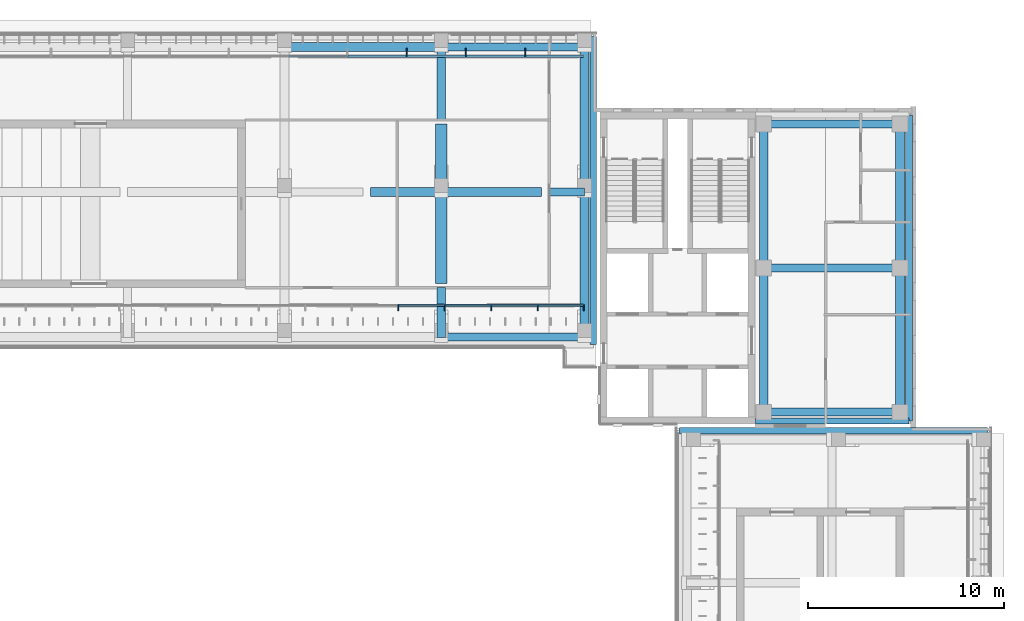
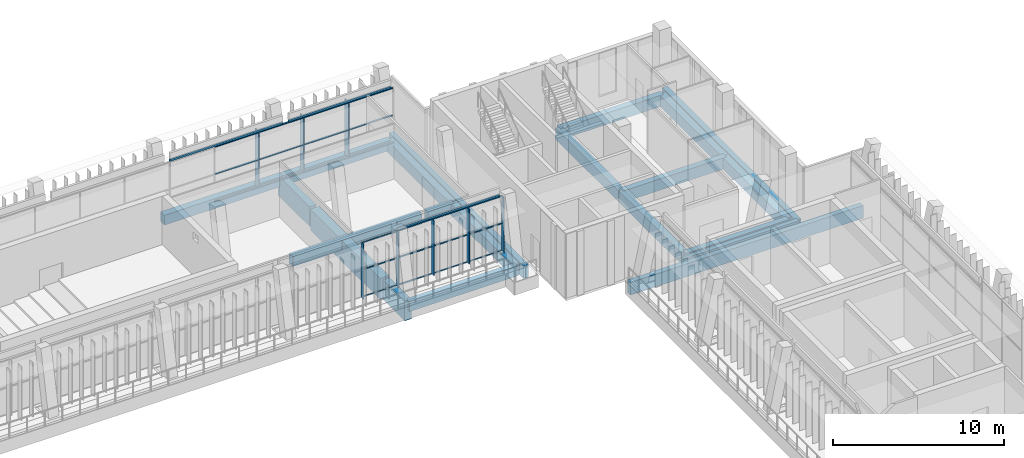
# One storey, part 34 of 74: 32 members, 24 beams, 2 elements without a shape of their own.
"""IFC4 building model written with IfcOpenShell, lengths in metres."""

from ifc_helpers import new_model, si_unit, direction, frame, origin, origin_2d, place, context, subcontext, project, spatial, rectangle, hollow_rectangle, extrude, material, material_profile, profile_set, type_object, element, aggregate, save


model = new_model("IFC4")

# Units and contexts
model_context = context("Model", 3, precision=1e-05, world=origin(), true_north=direction((0.0, 1.0)))
body_context = subcontext(model_context, "Body", "Model", "MODEL_VIEW")
ifc_project = project(units=[si_unit("LENGTHUNIT", "METRE"), si_unit("AREAUNIT", "SQUARE_METRE"), si_unit("VOLUMEUNIT", "CUBIC_METRE"), si_unit("PLANEANGLEUNIT", "RADIAN"), si_unit("MASSUNIT", "GRAM", prefix="KILO")], contexts=[model_context])

# Site, building, storey
site_placement = place(None, origin())
site = spatial("IfcSite", under=ifc_project, at=site_placement, CompositionType="ELEMENT")
building_placement = place(site_placement, origin())
building = spatial("IfcBuilding", under=site, at=building_placement, Name="Lantern Court Media Centre", CompositionType="ELEMENT")
storey_placement = place(building_placement, frame((0.0, 0.0, 19.199951171875)))
storey = spatial("IfcBuildingStorey", under=building, at=storey_placement, Name="L04", CompositionType="ELEMENT", Elevation=19.199951171875)

# Curtain wall, members
ifc_material_1 = material(Name="Curtain wall bay 2400")
curtain_wall_type_1 = type_object("IfcCurtainWallType", Name="Curtain wall bay 2400", PredefinedType="NOTDEFINED", material=ifc_material_1)
curtain_wall_1_placement = place(storey_placement, origin())
curtain_wall_1 = element("IfcCurtainWall", 1, at=curtain_wall_1_placement, inside=storey, type_object=curtain_wall_type_1, Name="Curtain wall N inner L04", PredefinedType="NOTDEFINED")
ifc_material_2 = material(Name="Anodised aluminium", Category="aluminium")
ifc_material_profile_1 = material_profile(ifc_material_2, rectangle(XDim=0.300048828125, YDim=0.050048828125, at=origin_2d()), Name="AL 50x300")
ifc_profile_set_1 = profile_set([ifc_material_profile_1], Name="Anodised aluminium")
member_type_1 = type_object("IfcMemberType", Name="Curtain wall mullion 50x300", PredefinedType="MULLION", material=ifc_profile_set_1)
member_1_placement = place(storey_placement, frame((69.804443359375, 102.030029296875, 0.0), z_axis=(0.0, 0.0, 1.0), x_axis=(0.0, 1.0, 0.0)))
member_1 = element("IfcMember", 2, at=member_1_placement, type_object=member_type_1, Name="CW2 mullion 20", PredefinedType="MULLION", context=body_context, shape_type="SweptSolid", body=[
    extrude(rectangle(XDim=0.300048828125, YDim=0.050048828125, at=origin_2d()), origin(), (0.0, 0.0, 1.0), 3.949951171875),
])
member_2_placement = place(storey_placement, frame((72.17822265625, 102.030029296875, 0.0), z_axis=(0.0, 0.0, 1.0), x_axis=(0.0, 1.0, 0.0)))
member_2 = element("IfcMember", 3, at=member_2_placement, type_object=member_type_1, Name="CW2 mullion 21", PredefinedType="MULLION", context=body_context, shape_type="SweptSolid", body=[
    extrude(rectangle(XDim=0.300048828125, YDim=0.050048828125, at=origin_2d()), origin(), (0.0, 0.0, 1.0), 3.949951171875),
])
member_3_placement = place(storey_placement, frame((74.55224609375, 102.030029296875, 0.0), z_axis=(0.0, 0.0, 1.0), x_axis=(0.0, 1.0, 0.0)))
member_3 = element("IfcMember", 4, at=member_3_placement, type_object=member_type_1, Name="CW2 mullion 22", PredefinedType="MULLION", context=body_context, shape_type="SweptSolid", body=[
    extrude(rectangle(XDim=0.300048828125, YDim=0.050048828125, at=origin_2d()), origin(), (0.0, 0.0, 1.0), 3.949951171875),
])
member_4_placement = place(storey_placement, frame((76.926025390625, 102.030029296875, 0.0), z_axis=(0.0, 0.0, 1.0), x_axis=(0.0, 1.0, 0.0)))
member_4 = element("IfcMember", 5, at=member_4_placement, type_object=member_type_1, Name="CW2 mullion 23", PredefinedType="MULLION", context=body_context, shape_type="SweptSolid", body=[
    extrude(rectangle(XDim=0.300048828125, YDim=0.050048828125, at=origin_2d()), origin(), (0.0, 0.0, 1.0), 3.949951171875),
])
member_5_placement = place(storey_placement, frame((79.27490234375, 102.030029296875, 0.0), z_axis=(0.0, 0.0, 1.0), x_axis=(0.0, 1.0, 0.0)))
member_5 = element("IfcMember", 6, at=member_5_placement, type_object=member_type_1, Name="CW2 mullion 24", PredefinedType="MULLION", context=body_context, shape_type="SweptSolid", body=[
    extrude(rectangle(XDim=0.300048828125, YDim=0.050048828125, at=origin_2d()), origin(), (0.0, 0.0, 1.0), 3.949951171875),
])

ifc_material_3 = material(Name="Curtain wall bay 3000")
curtain_wall_type_2 = type_object("IfcCurtainWallType", Name="Curtain wall bay 3000", PredefinedType="NOTDEFINED", material=ifc_material_3)
curtain_wall_2_placement = place(storey_placement, origin())
curtain_wall_2 = element("IfcCurtainWall", 7, at=curtain_wall_2_placement, inside=storey, type_object=curtain_wall_type_2, Name="Curtain wall N outer L04", PredefinedType="NOTDEFINED")
ifc_material_profile_2 = material_profile(ifc_material_2, rectangle(XDim=0.449951171875, YDim=0.06005859375, at=origin_2d()), Name="AL 60x450")
ifc_profile_set_2 = profile_set([ifc_material_profile_2], Name="Anodised aluminium")
member_type_2 = type_object("IfcMemberType", Name="Curtain wall mullion 60x450", PredefinedType="MULLION", material=ifc_profile_set_2)
member_6_placement = place(storey_placement, frame((70.230712890625, 115.044921875, 0.0), z_axis=(0.0, 0.0, 1.0), x_axis=(0.0, 1.0, 0.0)))
member_6 = element("IfcMember", 8, at=member_6_placement, type_object=member_type_2, Name="CW1 mullion 11", PredefinedType="MULLION", context=body_context, shape_type="SweptSolid", body=[
    extrude(rectangle(XDim=0.449951171875, YDim=0.06005859375, at=origin_2d()), origin(), (0.0, 0.0, 1.0), 3.949951171875),
])
member_7_placement = place(storey_placement, frame((73.25390625, 115.044921875, 0.0), z_axis=(0.0, 0.0, 1.0), x_axis=(0.0, 1.0, 0.0)))
member_7 = element("IfcMember", 9, at=member_7_placement, type_object=member_type_2, Name="CW1 mullion 12", PredefinedType="MULLION", context=body_context, shape_type="SweptSolid", body=[
    extrude(rectangle(XDim=0.449951171875, YDim=0.06005859375, at=origin_2d()), origin(), (0.0, 0.0, 1.0), 3.949951171875),
])
member_8_placement = place(storey_placement, frame((76.27685546875, 115.044921875, 0.0), z_axis=(0.0, 0.0, 1.0), x_axis=(0.0, 1.0, 0.0)))
member_8 = element("IfcMember", 10, at=member_8_placement, type_object=member_type_2, Name="CW1 mullion 13", PredefinedType="MULLION", context=body_context, shape_type="SweptSolid", body=[
    extrude(rectangle(XDim=0.449951171875, YDim=0.06005859375, at=origin_2d()), origin(), (0.0, 0.0, 1.0), 3.949951171875),
])

# Member
ifc_material_profile_3 = material_profile(ifc_material_2, rectangle(XDim=0.10009765625, YDim=0.050048828125, at=origin_2d()), Name="AL 50x100")
ifc_profile_set_3 = profile_set([ifc_material_profile_3], Name="Anodised aluminium")
member_type_3 = type_object("IfcMemberType", Name="Curtain wall transom 100x50", PredefinedType="USERDEFINED", material=ifc_profile_set_3)
member_9_placement = place(storey_placement, frame((69.829345703125, 102.14990234375, 0.025146484375), z_axis=(1.0, 0.0, 0.0), x_axis=(0.0, 1.0, 0.0)))
member_9 = element("IfcMember", 11, at=member_9_placement, type_object=member_type_3, Name="CW2 transom 20.1", ObjectType="TRANSOM", PredefinedType="USERDEFINED", context=body_context, shape_type="SweptSolid", body=[
    extrude(rectangle(XDim=0.10009765625, YDim=0.050048828125, at=origin_2d()), origin(), (0.0, 0.0, 1.0), 2.323974609375),
])

member_10_placement = place(storey_placement, frame((69.829345703125, 102.14990234375, 1.97509765625), z_axis=(1.0, 0.0, 0.0), x_axis=(0.0, 1.0, 0.0)))
member_10 = element("IfcMember", 12, at=member_10_placement, type_object=member_type_3, Name="CW2 transom 20.2", ObjectType="TRANSOM", PredefinedType="USERDEFINED", context=body_context, shape_type="SweptSolid", body=[
    extrude(rectangle(XDim=0.10009765625, YDim=0.050048828125, at=origin_2d()), origin(), (0.0, 0.0, 1.0), 2.323974609375),
])

member_11_placement = place(storey_placement, frame((69.829345703125, 102.14990234375, 3.925048828125), z_axis=(1.0, 0.0, 0.0), x_axis=(0.0, 1.0, 0.0)))
member_11 = element("IfcMember", 13, at=member_11_placement, type_object=member_type_3, Name="CW2 transom 20.3", ObjectType="TRANSOM", PredefinedType="USERDEFINED", context=body_context, shape_type="SweptSolid", body=[
    extrude(rectangle(XDim=0.10009765625, YDim=0.050048828125, at=origin_2d()), origin(), (0.0, 0.0, 1.0), 2.323974609375),
])

member_12_placement = place(storey_placement, frame((72.203369140625, 102.14990234375, 0.025146484375), z_axis=(1.0, 0.0, 0.0), x_axis=(0.0, 1.0, 0.0)))
member_12 = element("IfcMember", 14, at=member_12_placement, type_object=member_type_3, Name="CW2 transom 21.1", ObjectType="TRANSOM", PredefinedType="USERDEFINED", context=body_context, shape_type="SweptSolid", body=[
    extrude(rectangle(XDim=0.10009765625, YDim=0.050048828125, at=origin_2d()), origin(), (0.0, 0.0, 1.0), 2.32373046875),
])

member_13_placement = place(storey_placement, frame((72.203369140625, 102.14990234375, 1.97509765625), z_axis=(1.0, 0.0, 0.0), x_axis=(0.0, 1.0, 0.0)))
member_13 = element("IfcMember", 15, at=member_13_placement, type_object=member_type_3, Name="CW2 transom 21.2", ObjectType="TRANSOM", PredefinedType="USERDEFINED", context=body_context, shape_type="SweptSolid", body=[
    extrude(rectangle(XDim=0.10009765625, YDim=0.050048828125, at=origin_2d()), origin(), (0.0, 0.0, 1.0), 2.32373046875),
])

member_14_placement = place(storey_placement, frame((72.203369140625, 102.14990234375, 3.925048828125), z_axis=(1.0, 0.0, 0.0), x_axis=(0.0, 1.0, 0.0)))
member_14 = element("IfcMember", 16, at=member_14_placement, type_object=member_type_3, Name="CW2 transom 21.3", ObjectType="TRANSOM", PredefinedType="USERDEFINED", context=body_context, shape_type="SweptSolid", body=[
    extrude(rectangle(XDim=0.10009765625, YDim=0.050048828125, at=origin_2d()), origin(), (0.0, 0.0, 1.0), 2.32373046875),
])

member_15_placement = place(storey_placement, frame((74.5771484375, 102.14990234375, 0.025146484375), z_axis=(1.0, 0.0, 0.0), x_axis=(0.0, 1.0, 0.0)))
member_15 = element("IfcMember", 17, at=member_15_placement, type_object=member_type_3, Name="CW2 transom 22.1", ObjectType="TRANSOM", PredefinedType="USERDEFINED", context=body_context, shape_type="SweptSolid", body=[
    extrude(rectangle(XDim=0.10009765625, YDim=0.050048828125, at=origin_2d()), origin(), (0.0, 0.0, 1.0), 2.323974609375),
])

member_16_placement = place(storey_placement, frame((74.5771484375, 102.14990234375, 1.97509765625), z_axis=(1.0, 0.0, 0.0), x_axis=(0.0, 1.0, 0.0)))
member_16 = element("IfcMember", 18, at=member_16_placement, type_object=member_type_3, Name="CW2 transom 22.2", ObjectType="TRANSOM", PredefinedType="USERDEFINED", context=body_context, shape_type="SweptSolid", body=[
    extrude(rectangle(XDim=0.10009765625, YDim=0.050048828125, at=origin_2d()), origin(), (0.0, 0.0, 1.0), 2.323974609375),
])

member_17_placement = place(storey_placement, frame((74.5771484375, 102.14990234375, 3.925048828125), z_axis=(1.0, 0.0, 0.0), x_axis=(0.0, 1.0, 0.0)))
member_17 = element("IfcMember", 19, at=member_17_placement, type_object=member_type_3, Name="CW2 transom 22.3", ObjectType="TRANSOM", PredefinedType="USERDEFINED", context=body_context, shape_type="SweptSolid", body=[
    extrude(rectangle(XDim=0.10009765625, YDim=0.050048828125, at=origin_2d()), origin(), (0.0, 0.0, 1.0), 2.323974609375),
])

member_18_placement = place(storey_placement, frame((76.951171875, 102.14990234375, 0.025146484375), z_axis=(1.0, 0.0, 0.0), x_axis=(0.0, 1.0, 0.0)))
member_18 = element("IfcMember", 20, at=member_18_placement, type_object=member_type_3, Name="CW2 transom 23.1", ObjectType="TRANSOM", PredefinedType="USERDEFINED", context=body_context, shape_type="SweptSolid", body=[
    extrude(rectangle(XDim=0.10009765625, YDim=0.050048828125, at=origin_2d()), origin(), (0.0, 0.0, 1.0), 2.298828125),
])

member_19_placement = place(storey_placement, frame((76.951171875, 102.14990234375, 1.97509765625), z_axis=(1.0, 0.0, 0.0), x_axis=(0.0, 1.0, 0.0)))
member_19 = element("IfcMember", 21, at=member_19_placement, type_object=member_type_3, Name="CW2 transom 23.2", ObjectType="TRANSOM", PredefinedType="USERDEFINED", context=body_context, shape_type="SweptSolid", body=[
    extrude(rectangle(XDim=0.10009765625, YDim=0.050048828125, at=origin_2d()), origin(), (0.0, 0.0, 1.0), 2.298828125),
])

member_20_placement = place(storey_placement, frame((76.951171875, 102.14990234375, 3.925048828125), z_axis=(1.0, 0.0, 0.0), x_axis=(0.0, 1.0, 0.0)))
member_20 = element("IfcMember", 22, at=member_20_placement, type_object=member_type_3, Name="CW2 transom 23.3", ObjectType="TRANSOM", PredefinedType="USERDEFINED", context=body_context, shape_type="SweptSolid", body=[
    extrude(rectangle(XDim=0.10009765625, YDim=0.050048828125, at=origin_2d()), origin(), (0.0, 0.0, 1.0), 2.298828125),
])

aggregate(curtain_wall_1, [member_1, member_2, member_3, member_4, member_5, member_9, member_10, member_11, member_12, member_13, member_14, member_15, member_16, member_17, member_18, member_19, member_20])

ifc_material_profile_4 = material_profile(ifc_material_2, rectangle(XDim=0.1201171875, YDim=0.06005859375, at=origin_2d()), Name="AL 60x120")
ifc_profile_set_4 = profile_set([ifc_material_profile_4], Name="Anodised aluminium")
member_type_4 = type_object("IfcMemberType", Name="Curtain wall transom 60x120", PredefinedType="USERDEFINED", material=ifc_profile_set_4)
member_21_placement = place(storey_placement, frame((67.23779296875, 114.85009765625, 0.030029296875), z_axis=(1.0, 0.0, 0.0), x_axis=(0.0, 1.0, 0.0)))
member_21 = element("IfcMember", 23, at=member_21_placement, type_object=member_type_4, Name="CW1 transom 10.1", ObjectType="TRANSOM", PredefinedType="USERDEFINED", context=body_context, shape_type="SweptSolid", body=[
    extrude(rectangle(XDim=0.1201171875, YDim=0.06005859375, at=origin_2d()), origin(), (0.0, 0.0, 1.0), 2.962890625),
])

member_22_placement = place(storey_placement, frame((67.23779296875, 114.85009765625, 1.97509765625), z_axis=(1.0, 0.0, 0.0), x_axis=(0.0, 1.0, 0.0)))
member_22 = element("IfcMember", 24, at=member_22_placement, type_object=member_type_4, Name="CW1 transom 10.2", ObjectType="TRANSOM", PredefinedType="USERDEFINED", context=body_context, shape_type="SweptSolid", body=[
    extrude(rectangle(XDim=0.1201171875, YDim=0.06005859375, at=origin_2d()), origin(), (0.0, 0.0, 1.0), 2.962890625),
])

member_23_placement = place(storey_placement, frame((67.23779296875, 114.85009765625, 3.920166015625), z_axis=(1.0, 0.0, 0.0), x_axis=(0.0, 1.0, 0.0)))
member_23 = element("IfcMember", 25, at=member_23_placement, type_object=member_type_4, Name="CW1 transom 10.3", ObjectType="TRANSOM", PredefinedType="USERDEFINED", context=body_context, shape_type="SweptSolid", body=[
    extrude(rectangle(XDim=0.1201171875, YDim=0.06005859375, at=origin_2d()), origin(), (0.0, 0.0, 1.0), 2.962890625),
])

member_24_placement = place(storey_placement, frame((70.2607421875, 114.85009765625, 0.030029296875), z_axis=(1.0, 0.0, 0.0), x_axis=(0.0, 1.0, 0.0)))
member_24 = element("IfcMember", 26, at=member_24_placement, type_object=member_type_4, Name="CW1 transom 11.1", ObjectType="TRANSOM", PredefinedType="USERDEFINED", context=body_context, shape_type="SweptSolid", body=[
    extrude(rectangle(XDim=0.1201171875, YDim=0.06005859375, at=origin_2d()), origin(), (0.0, 0.0, 1.0), 2.963134765625),
])

member_25_placement = place(storey_placement, frame((70.2607421875, 114.85009765625, 1.97509765625), z_axis=(1.0, 0.0, 0.0), x_axis=(0.0, 1.0, 0.0)))
member_25 = element("IfcMember", 27, at=member_25_placement, type_object=member_type_4, Name="CW1 transom 11.2", ObjectType="TRANSOM", PredefinedType="USERDEFINED", context=body_context, shape_type="SweptSolid", body=[
    extrude(rectangle(XDim=0.1201171875, YDim=0.06005859375, at=origin_2d()), origin(), (0.0, 0.0, 1.0), 2.963134765625),
])

member_26_placement = place(storey_placement, frame((70.2607421875, 114.85009765625, 3.920166015625), z_axis=(1.0, 0.0, 0.0), x_axis=(0.0, 1.0, 0.0)))
member_26 = element("IfcMember", 28, at=member_26_placement, type_object=member_type_4, Name="CW1 transom 11.3", ObjectType="TRANSOM", PredefinedType="USERDEFINED", context=body_context, shape_type="SweptSolid", body=[
    extrude(rectangle(XDim=0.1201171875, YDim=0.06005859375, at=origin_2d()), origin(), (0.0, 0.0, 1.0), 2.963134765625),
])

member_27_placement = place(storey_placement, frame((73.283935546875, 114.85009765625, 0.030029296875), z_axis=(1.0, 0.0, 0.0), x_axis=(0.0, 1.0, 0.0)))
member_27 = element("IfcMember", 29, at=member_27_placement, type_object=member_type_4, Name="CW1 transom 12.1", ObjectType="TRANSOM", PredefinedType="USERDEFINED", context=body_context, shape_type="SweptSolid", body=[
    extrude(rectangle(XDim=0.1201171875, YDim=0.06005859375, at=origin_2d()), origin(), (0.0, 0.0, 1.0), 2.962890625),
])

member_28_placement = place(storey_placement, frame((73.283935546875, 114.85009765625, 1.97509765625), z_axis=(1.0, 0.0, 0.0), x_axis=(0.0, 1.0, 0.0)))
member_28 = element("IfcMember", 30, at=member_28_placement, type_object=member_type_4, Name="CW1 transom 12.2", ObjectType="TRANSOM", PredefinedType="USERDEFINED", context=body_context, shape_type="SweptSolid", body=[
    extrude(rectangle(XDim=0.1201171875, YDim=0.06005859375, at=origin_2d()), origin(), (0.0, 0.0, 1.0), 2.962890625),
])

member_29_placement = place(storey_placement, frame((73.283935546875, 114.85009765625, 3.920166015625), z_axis=(1.0, 0.0, 0.0), x_axis=(0.0, 1.0, 0.0)))
member_29 = element("IfcMember", 31, at=member_29_placement, type_object=member_type_4, Name="CW1 transom 12.3", ObjectType="TRANSOM", PredefinedType="USERDEFINED", context=body_context, shape_type="SweptSolid", body=[
    extrude(rectangle(XDim=0.1201171875, YDim=0.06005859375, at=origin_2d()), origin(), (0.0, 0.0, 1.0), 2.962890625),
])

member_30_placement = place(storey_placement, frame((76.306884765625, 114.85009765625, 0.030029296875), z_axis=(1.0, 0.0, 0.0), x_axis=(0.0, 1.0, 0.0)))
member_30 = element("IfcMember", 32, at=member_30_placement, type_object=member_type_4, Name="CW1 transom 13.1", ObjectType="TRANSOM", PredefinedType="USERDEFINED", context=body_context, shape_type="SweptSolid", body=[
    extrude(rectangle(XDim=0.1201171875, YDim=0.06005859375, at=origin_2d()), origin(), (0.0, 0.0, 1.0), 2.93310546875),
])

member_31_placement = place(storey_placement, frame((76.306884765625, 114.85009765625, 1.97509765625), z_axis=(1.0, 0.0, 0.0), x_axis=(0.0, 1.0, 0.0)))
member_31 = element("IfcMember", 33, at=member_31_placement, type_object=member_type_4, Name="CW1 transom 13.2", ObjectType="TRANSOM", PredefinedType="USERDEFINED", context=body_context, shape_type="SweptSolid", body=[
    extrude(rectangle(XDim=0.1201171875, YDim=0.06005859375, at=origin_2d()), origin(), (0.0, 0.0, 1.0), 2.93310546875),
])

member_32_placement = place(storey_placement, frame((76.306884765625, 114.85009765625, 3.920166015625), z_axis=(1.0, 0.0, 0.0), x_axis=(0.0, 1.0, 0.0)))
member_32 = element("IfcMember", 34, at=member_32_placement, type_object=member_type_4, Name="CW1 transom 13.3", ObjectType="TRANSOM", PredefinedType="USERDEFINED", context=body_context, shape_type="SweptSolid", body=[
    extrude(rectangle(XDim=0.1201171875, YDim=0.06005859375, at=origin_2d()), origin(), (0.0, 0.0, 1.0), 2.93310546875),
])

aggregate(curtain_wall_2, [member_6, member_7, member_8, member_21, member_22, member_23, member_24, member_25, member_26, member_27, member_28, member_29, member_30, member_31, member_32])

# Beams
ifc_material_4 = material(Name="Steel S355J2 (EN 10025-2)", Category="steel")
ifc_material_profile_5 = material_profile(ifc_material_4, hollow_rectangle(XDim=0.10009765625, YDim=0.14990234375, WallThickness=0.00634765625, InnerFilletRadius=0.00634765625, OuterFilletRadius=0.009521484375, at=origin_2d()), Name="Facade head lintel RHS 150x100x6.3")
ifc_profile_set_5 = profile_set([ifc_material_profile_5], Name="Steel S355J2 (EN 10025-2)")
beam_type_1 = type_object("IfcBeamType", Name="Facade head lintel RHS 150x100x6.3", PredefinedType="BEAM", material=ifc_profile_set_5)
beam_1_placement = place(storey_placement, frame((64.199951171875, 114.85009765625, 4.025146484375), z_axis=(1.0, 0.0, 0.0), x_axis=(0.0, 1.0, 0.0)))
element("IfcBeam", 35, at=beam_1_placement, inside=storey, type_object=beam_type_1, Name="Facade head lintel N L04", PredefinedType="BEAM", context=body_context, shape_type="SweptSolid", body=[
    extrude(hollow_rectangle(XDim=0.10009765625, YDim=0.14990234375, WallThickness=0.00634765625, InnerFilletRadius=0.00634765625, OuterFilletRadius=0.009521484375, at=origin_2d()), origin(), (0.0, 0.0, 1.0), 7.60009765625),
])
for number, where, z_axis, x_axis, name in (
    (36, (72.199951171875, 114.85009765625, 4.025146484375), (1.0, 0.0, 0.0), (0.0, 1.0, 0.0), "Facade head lintel N L04"),
    (37, (72.199951171875, 102.14990234375, 4.025146484375), (1.0, 0.0, 0.0), (0.0, 1.0, 0.0), "Facade head lintel N L04"),
):
    element("IfcBeam", number, at=place(storey_placement, frame(where, z_axis=z_axis, x_axis=x_axis)), inside=storey, type_object=beam_type_1, Name=name, PredefinedType="BEAM", context=body_context, shape_type="SweptSolid", body=[
        extrude(hollow_rectangle(XDim=0.10009765625, YDim=0.14990234375, WallThickness=0.00634765625, InnerFilletRadius=0.00634765625, OuterFilletRadius=0.009521484375, at=origin_2d()), origin(), (0.0, 0.0, 1.0), 6.900146484375),
    ])
ifc_material_5 = material(Name="Concrete C35", Category="concrete")
ifc_material_profile_6 = material_profile(ifc_material_5, rectangle(XDim=0.300048828125, YDim=0.89990234375, at=origin_2d()), Name="RC 300x900")
ifc_profile_set_6 = profile_set([ifc_material_profile_6], Name="Concrete C35")
beam_type_2 = type_object("IfcBeamType", Name="RC BEAM 300x900", PredefinedType="BEAM", material=ifc_profile_set_6)
beam_2_placement = place(storey_placement, frame((88.02001953125, 96.25, -0.449951171875), z_axis=(1.0, 0.0, 0.0), x_axis=(0.0, 1.0, 0.0)))
element("IfcBeam", 38, at=beam_2_placement, inside=storey, type_object=beam_type_2, Name="EB-NE-L04-S", PredefinedType="BEAM", context=body_context, shape_type="SweptSolid", body=[
    extrude(rectangle(XDim=0.300048828125, YDim=0.89990234375, at=origin_2d()), origin(), (0.0, 0.0, 1.0), 7.830078125),
])
ifc_material_profile_7 = material_profile(ifc_material_5, rectangle(XDim=0.35009765625, YDim=0.89990234375, at=origin_2d()), Name="RC 350x900")
ifc_profile_set_7 = profile_set([ifc_material_profile_7], Name="Concrete C35")
beam_type_3 = type_object("IfcBeamType", Name="RC BEAM 350x900", PredefinedType="BEAM", material=ifc_profile_set_7)
beam_3_placement = place(storey_placement, frame((95.85009765625, 96.25, -0.449951171875), z_axis=(0.0, 1.0, 0.0), x_axis=(-1.0, 0.0, 0.0)))
element("IfcBeam", 39, at=beam_3_placement, inside=storey, type_object=beam_type_3, Name="EB-NE-L04-E", PredefinedType="BEAM", context=body_context, shape_type="SweptSolid", body=[
    extrude(rectangle(XDim=0.35009765625, YDim=0.89990234375, at=origin_2d()), origin(), (0.0, 0.0, 1.0), 15.60009765625),
])
for number, where, z_axis, x_axis, name in (
    (40, (79.75, 100.14990234375, -0.449951171875), (0.0, 1.0, 0.0), (-1.0, 0.0, 0.0), "EB-N-L04-D"),
    (41, (84.14990234375, 95.75, -0.449951171875), (1.0, 0.0, 0.0), (0.0, 1.0, 0.0), "EB-E-L04-D"),
):
    element("IfcBeam", number, at=place(storey_placement, frame(where, z_axis=z_axis, x_axis=x_axis)), inside=storey, type_object=beam_type_3, Name=name, PredefinedType="BEAM", context=body_context, shape_type="SweptSolid", body=[
        extrude(rectangle(XDim=0.35009765625, YDim=0.89990234375, at=origin_2d()), origin(), (0.0, 0.0, 1.0), 15.7001953125),
    ])
ifc_material_profile_8 = material_profile(ifc_material_5, rectangle(XDim=0.39990234375, YDim=0.699951171875, at=origin_2d()), Name="RC 400x700")
ifc_profile_set_8 = profile_set([ifc_material_profile_8], Name="Concrete C35")
beam_type_4 = type_object("IfcBeamType", Name="RC BEAM 400x700", PredefinedType="BEAM", material=ifc_profile_set_8)
beam_4_placement = place(storey_placement, frame((72.0, 100.527099609375, -0.349853515625), z_axis=(1.0, 0.0, 0.0), x_axis=(0.0, 1.0, 0.0)))
element("IfcBeam", 42, at=beam_4_placement, inside=storey, type_object=beam_type_4, Name="LB-N-L04-0-6", PredefinedType="BEAM", context=body_context, shape_type="SweptSolid", body=[
    extrude(rectangle(XDim=0.39990234375, YDim=0.699951171875, at=origin_2d()), origin(), (0.0, 0.0, 1.0), 7.300048828125),
])
beam_5_placement = place(storey_placement, frame((77.5, 107.927001953125, -0.349853515625), z_axis=(1.0, 0.0, 0.0), x_axis=(0.0, 1.0, 0.0)))
element("IfcBeam", 43, at=beam_5_placement, inside=storey, type_object=beam_type_4, Name="LB-N-L04-1-52", PredefinedType="BEAM", context=body_context, shape_type="SweptSolid", body=[
    extrude(rectangle(XDim=0.39990234375, YDim=0.699951171875, at=origin_2d()), origin(), (0.0, 0.0, 1.0), 1.800048828125),
])
beam_6_placement = place(storey_placement, frame((72.0, 115.3271484375, -0.349853515625), z_axis=(1.0, 0.0, 0.0), x_axis=(0.0, 1.0, 0.0)))
element("IfcBeam", 44, at=beam_6_placement, inside=storey, type_object=beam_type_4, Name="LB-N-L04-2-6", PredefinedType="BEAM", context=body_context, shape_type="SweptSolid", body=[
    extrude(rectangle(XDim=0.39990234375, YDim=0.699951171875, at=origin_2d()), origin(), (0.0, 0.0, 1.0), 7.300048828125),
])
ifc_material_profile_9 = material_profile(ifc_material_5, rectangle(XDim=0.39990234375, YDim=0.800048828125, at=origin_2d()), Name="RC 400x800")
ifc_profile_set_9 = profile_set([ifc_material_profile_9], Name="Concrete C35")
beam_type_5 = type_object("IfcBeamType", Name="RC BEAM 400x800", PredefinedType="BEAM", material=ifc_profile_set_9)
for number, where, z_axis, x_axis, name in (
    (45, (88.449951171875, 96.699951171875, -0.39990234375), (1.0, 0.0, 0.0), (0.0, 1.0, 0.0), "BB-NE-L04-Y0-96"),
    (46, (88.449951171875, 104.050048828125, -0.39990234375), (1.0, 0.0, 0.0), (0.0, 1.0, 0.0), "BB-NE-L04-Y0-104"),
    (47, (88.449951171875, 111.39990234375, -0.39990234375), (1.0, 0.0, 0.0), (0.0, 1.0, 0.0), "BB-NE-L04-Y0-111"),
):
    element("IfcBeam", number, at=place(storey_placement, frame(where, z_axis=z_axis, x_axis=x_axis)), inside=storey, type_object=beam_type_5, Name=name, PredefinedType="BEAM", context=body_context, shape_type="SweptSolid", body=[
        extrude(rectangle(XDim=0.39990234375, YDim=0.800048828125, at=origin_2d()), origin(), (0.0, 0.0, 1.0), 6.949951171875),
    ])
ifc_material_profile_10 = material_profile(ifc_material_5, rectangle(XDim=0.449951171875, YDim=1.39990234375, at=origin_2d()), Name="RC 450x1400")
ifc_profile_set_10 = profile_set([ifc_material_profile_10], Name="Concrete C35")
beam_type_6 = type_object("IfcBeamType", Name="RC BEAM 450x1400", PredefinedType="BEAM", material=ifc_profile_set_10)
beam_7_placement = place(storey_placement, frame((72.0, 100.5166015625, -0.699951171875), z_axis=(0.0, 1.0, 0.0), x_axis=(-1.0, 0.0, 0.0)))
element("IfcBeam", 48, at=beam_7_placement, inside=storey, type_object=beam_type_6, Name="TB-N-L04-6-1", PredefinedType="BEAM", context=body_context, shape_type="SweptSolid", body=[
    extrude(rectangle(XDim=0.449951171875, YDim=1.39990234375, at=origin_2d()), origin(), (0.0, 0.0, 1.0), 2.533447265625),
])
beam_8_placement = place(storey_placement, frame((72.0, 111.60009765625, -0.699951171875), z_axis=(0.0, 1.0, 0.0), x_axis=(-1.0, 0.0, 0.0)))
element("IfcBeam", 49, at=beam_8_placement, inside=storey, type_object=beam_type_6, Name="TB-N-L04-6-12", PredefinedType="BEAM", context=body_context, shape_type="SweptSolid", body=[
    extrude(rectangle(XDim=0.449951171875, YDim=1.39990234375, at=origin_2d()), origin(), (0.0, 0.0, 1.0), 3.716552734375),
])
ifc_material_profile_11 = material_profile(ifc_material_5, rectangle(XDim=0.449951171875, YDim=0.699951171875, at=origin_2d()), Name="RC 450x700")
ifc_profile_set_11 = profile_set([ifc_material_profile_11], Name="Concrete C35")
beam_type_7 = type_object("IfcBeamType", Name="RC BEAM 450x700", PredefinedType="BEAM", material=ifc_profile_set_11)
beam_9_placement = place(storey_placement, frame((68.39990234375, 107.927001953125, -0.349853515625), z_axis=(1.0, 0.0, 0.0), x_axis=(0.0, 1.0, 0.0)))
element("IfcBeam", 50, at=beam_9_placement, inside=storey, type_object=beam_type_7, Name="LB-N-L04-1-51", PredefinedType="BEAM", context=body_context, shape_type="SweptSolid", body=[
    extrude(rectangle(XDim=0.449951171875, YDim=0.699951171875, at=origin_2d()), origin(), (0.0, 0.0, 1.0), 8.7001953125),
])
beam_10_placement = place(storey_placement, frame((64.0, 115.3271484375, -0.349853515625), z_axis=(1.0, 0.0, 0.0), x_axis=(0.0, 1.0, 0.0)))
element("IfcBeam", 51, at=beam_10_placement, inside=storey, type_object=beam_type_7, Name="LB-N-L04-2-5", PredefinedType="BEAM", context=body_context, shape_type="SweptSolid", body=[
    extrude(rectangle(XDim=0.449951171875, YDim=0.699951171875, at=origin_2d()), origin(), (0.0, 0.0, 1.0), 8.0),
])
ifc_material_profile_12 = material_profile(ifc_material_5, rectangle(XDim=0.449951171875, YDim=0.800048828125, at=origin_2d()), Name="RC 450x800")
ifc_profile_set_12 = profile_set([ifc_material_profile_12], Name="Concrete C35")
beam_type_8 = type_object("IfcBeamType", Name="RC BEAM 450x800", PredefinedType="BEAM", material=ifc_profile_set_12)
beam_11_placement = place(storey_placement, frame((88.449951171875, 96.699951171875, -0.39990234375), z_axis=(0.0, 1.0, 0.0), x_axis=(-1.0, 0.0, 0.0)))
element("IfcBeam", 52, at=beam_11_placement, inside=storey, type_object=beam_type_8, Name="BB-NE-L04-X0-88", PredefinedType="BEAM", context=body_context, shape_type="SweptSolid", body=[
    extrude(rectangle(XDim=0.449951171875, YDim=0.800048828125, at=origin_2d()), origin(), (0.0, 0.0, 1.0), 7.35009765625),
])
beam_12_placement = place(storey_placement, frame((88.449951171875, 104.050048828125, -0.39990234375), z_axis=(0.0, 1.0, 0.0), x_axis=(-1.0, 0.0, 0.0)))
element("IfcBeam", 53, at=beam_12_placement, inside=storey, type_object=beam_type_8, Name="BB-NE-L04-X1-88", PredefinedType="BEAM", context=body_context, shape_type="SweptSolid", body=[
    extrude(rectangle(XDim=0.449951171875, YDim=0.800048828125, at=origin_2d()), origin(), (0.0, 0.0, 1.0), 7.349853515625),
])
beam_13_placement = place(storey_placement, frame((95.39990234375, 96.699951171875, -0.39990234375), z_axis=(0.0, 1.0, 0.0), x_axis=(-1.0, 0.0, 0.0)))
element("IfcBeam", 54, at=beam_13_placement, inside=storey, type_object=beam_type_8, Name="BB-NE-L04-X0-95", PredefinedType="BEAM", context=body_context, shape_type="SweptSolid", body=[
    extrude(rectangle(XDim=0.449951171875, YDim=0.800048828125, at=origin_2d()), origin(), (0.0, 0.0, 1.0), 7.35009765625),
])
beam_14_placement = place(storey_placement, frame((95.39990234375, 104.050048828125, -0.39990234375), z_axis=(0.0, 1.0, 0.0), x_axis=(-1.0, 0.0, 0.0)))
element("IfcBeam", 55, at=beam_14_placement, inside=storey, type_object=beam_type_8, Name="BB-NE-L04-X1-95", PredefinedType="BEAM", context=body_context, shape_type="SweptSolid", body=[
    extrude(rectangle(XDim=0.449951171875, YDim=0.800048828125, at=origin_2d()), origin(), (0.0, 0.0, 1.0), 7.349853515625),
])
beam_15_placement = place(storey_placement, frame((79.300048828125, 100.5166015625, -0.39990234375), z_axis=(0.0, 1.0, 0.0), x_axis=(-1.0, 0.0, 0.0)))
element("IfcBeam", 56, at=beam_15_placement, inside=storey, type_object=beam_type_8, Name="TB-N-L04-7-1", PredefinedType="BEAM", context=body_context, shape_type="SweptSolid", body=[
    extrude(rectangle(XDim=0.449951171875, YDim=0.800048828125, at=origin_2d()), origin(), (0.0, 0.0, 1.0), 7.400146484375),
])
beam_16_placement = place(storey_placement, frame((79.300048828125, 107.916748046875, -0.39990234375), z_axis=(0.0, 1.0, 0.0), x_axis=(-1.0, 0.0, 0.0)))
element("IfcBeam", 57, at=beam_16_placement, inside=storey, type_object=beam_type_8, Name="TB-N-L04-7-2", PredefinedType="BEAM", context=body_context, shape_type="SweptSolid", body=[
    extrude(rectangle(XDim=0.449951171875, YDim=0.800048828125, at=origin_2d()), origin(), (0.0, 0.0, 1.0), 7.39990234375),
])
ifc_material_profile_13 = material_profile(ifc_material_5, rectangle(XDim=0.60009765625, YDim=1.5, at=origin_2d()), Name="RC 600x1500")
ifc_profile_set_13 = profile_set([ifc_material_profile_13], Name="Concrete C35")
beam_type_9 = type_object("IfcBeamType", Name="RC BEAM 600x1500", PredefinedType="BEAM", material=ifc_profile_set_13)
beam_17_placement = place(storey_placement, frame((72.0, 103.25, -0.75), z_axis=(0.0, 1.0, 0.0), x_axis=(-1.0, 0.0, 0.0)))
element("IfcBeam", 58, at=beam_17_placement, inside=storey, type_object=beam_type_9, Name="TR-N-L04-3", PredefinedType="BEAM", context=body_context, shape_type="SweptSolid", body=[
    extrude(rectangle(XDim=0.60009765625, YDim=1.5, at=origin_2d()), origin(), (0.0, 0.0, 1.0), 8.14990234375),
])

save(model, "model.ifc")
